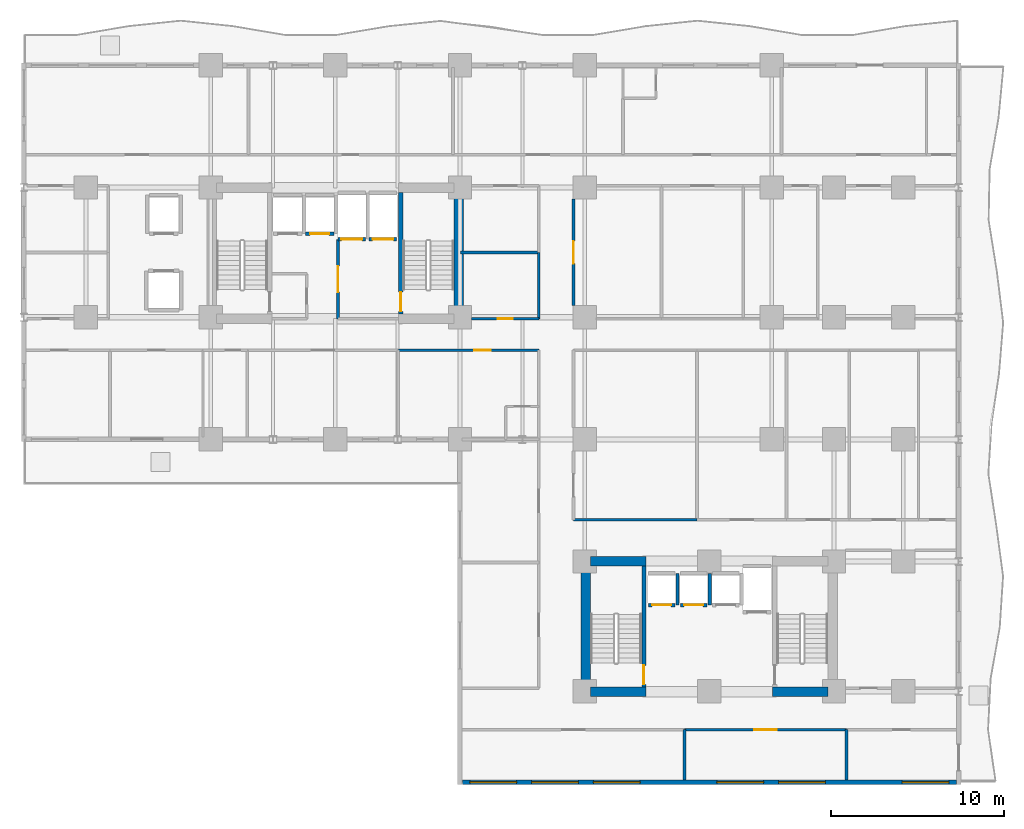
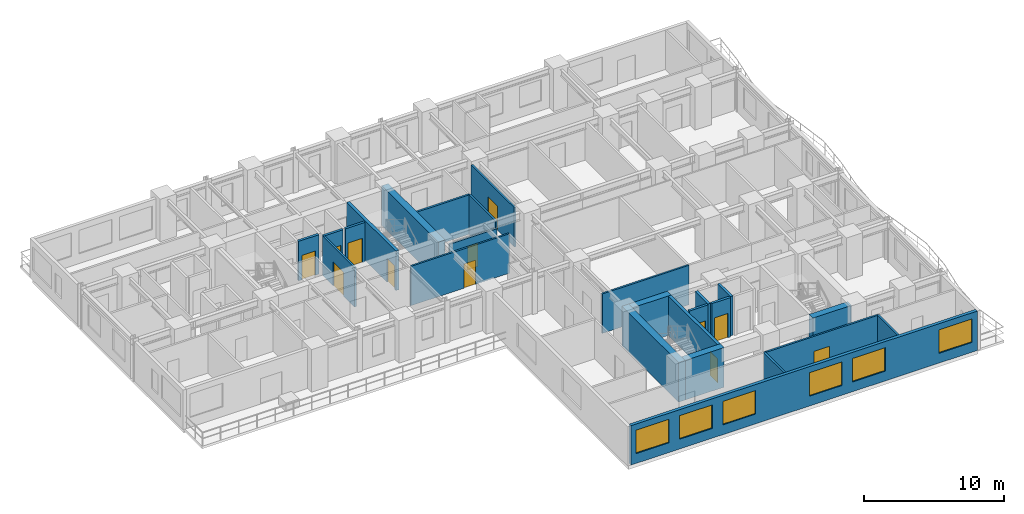
# One storey, part 4 of 11: 25 walls, 12 doors, 6 windows, 18 openings.
"""IFC4 building model written with IfcOpenShell, lengths in metres."""

from ifc_helpers import new_model, si_unit, direction, frame, frame_2d, origin, place, context, subcontext, project, spatial, rectangle, extrude, material, layer, layer_set, type_object, element, fill, save


model = new_model("IFC4")

# Units and contexts
model_context = context("Model", 3, precision=1e-05, world=origin(), true_north=direction((0.0, 1.0)))
body_context = subcontext(model_context, "Body", "Model", "MODEL_VIEW")
ifc_project = project(units=[si_unit("LENGTHUNIT", "METRE"), si_unit("AREAUNIT", "SQUARE_METRE"), si_unit("VOLUMEUNIT", "CUBIC_METRE"), si_unit("PLANEANGLEUNIT", "RADIAN"), si_unit("MASSUNIT", "GRAM", prefix="KILO")], contexts=[model_context])

# Site, building, storey
site_placement = place(None, origin())
site = spatial("IfcSite", under=ifc_project, at=site_placement, CompositionType="ELEMENT")
building_placement = place(site_placement, origin())
building = spatial("IfcBuilding", under=site, at=building_placement, Name="Kaliganga Portal Commons", CompositionType="ELEMENT")
storey_placement = place(building_placement, frame((0.0, 0.0, 25.300048828125)))
storey = spatial("IfcBuildingStorey", under=building, at=storey_placement, Name="L05", CompositionType="ELEMENT", Elevation=25.300048828125)

# Walls
ifc_material_1 = material(Name="Concrete C60/75", Category="concrete")
ifc_layer_1 = layer(ifc_material_1, 0.550048828125)
ifc_layer_set_1 = layer_set([ifc_layer_1], Name="Concrete C60/75")
wall_type_1 = type_object("IfcWallType", Name="WL-CORE-550", PredefinedType="SHEAR", material=ifc_layer_set_1)
wall_1_placement = place(storey_placement, frame((28.72509765625, 28.300048828125, 0.0), z_axis=(0.0, 0.0, 1.0), x_axis=(0.0, 1.0, 0.0)))
element("IfcWall", 1, at=wall_1_placement, inside=storey, type_object=wall_type_1, Name="Core A East Shear Wall L05", PredefinedType="SHEAR", context=body_context, shape_type="SweptSolid", body=[
    extrude(rectangle(XDim=8.099853515625, YDim=0.550048828125, at=frame_2d((4.0498046875, 0.0))), origin(), (0.0, 0.0, 1.0), 3.449951171875),
])
wall_2_placement = place(storey_placement, frame((36.074951171875, 6.75, 0.0), z_axis=(0.0, 0.0, 1.0), x_axis=(0.0, 1.0, 0.0)))
element("IfcWall", 2, at=wall_2_placement, inside=storey, type_object=wall_type_1, Name="Core B West Shear Wall L05", PredefinedType="SHEAR", context=body_context, shape_type="SweptSolid", body=[
    extrude(rectangle(XDim=8.10009765625, YDim=0.550048828125, at=frame_2d((4.050048828125, 0.0))), origin(), (0.0, 0.0, 1.0), 3.449951171875),
])
for number, where, z_axis, x_axis, name in (
    (3, (36.35009765625, 7.02490234375, 0.0), (0.0, 0.0, 1.0), (1.0, 0.0, 0.0), "Core B S-West Shear Wall L05"),
    (4, (46.85009765625, 7.02490234375, 0.0), (0.0, 0.0, 1.0), (1.0, 0.0, 0.0), "Core B S-East Shear Wall L05"),
    (5, (36.35009765625, 14.574951171875, 0.0), (0.0, 0.0, 1.0), (1.0, 0.0, 0.0), "Core B N-West Shear Wall L05"),
):
    element("IfcWall", number, at=place(storey_placement, frame(where, z_axis=z_axis, x_axis=x_axis)), inside=storey, type_object=wall_type_1, Name=name, PredefinedType="SHEAR", context=body_context, shape_type="SweptSolid", body=[
        extrude(rectangle(XDim=3.199951171875, YDim=0.550048828125, at=frame_2d((1.60009765625, 0.0))), origin(), (0.0, 0.0, 1.0), 3.449951171875),
    ])

# Wall, openings, windows
ifc_material_2 = material(Name="Insulated Aluminium-Clad Spandrel Assembly", Category="aluminium")
ifc_layer_2 = layer(ifc_material_2, 0.260009765625)
ifc_layer_set_2 = layer_set([ifc_layer_2], Name="Insulated Aluminium-Clad Spandrel Assembly")
wall_type_2 = type_object("IfcWallType", Name="WL-EXT-SPAND-260", PredefinedType="STANDARD", material=ifc_layer_set_2)
wall_3_placement = place(storey_placement, frame((57.465087890625, 1.800048828125, 0.0), z_axis=(0.0, 0.0, 1.0), x_axis=(-1.0, 0.0, 0.0)))
wall_3 = element("IfcWall", 6, at=wall_3_placement, inside=storey, type_object=wall_type_2, Name="Exterior Envelope Wall L05 P1-E00-S1", PredefinedType="STANDARD", context=body_context, shape_type="SweptSolid", body=[
    extrude(rectangle(XDim=28.530029296875, YDim=0.260009765625, at=frame_2d((14.26513671875, 0.0))), origin(), (0.0, 0.0, 1.0), 3.429931640625),
])
opening_1_placement = place(wall_3_placement, frame((0.43310546875, 0.0, 0.85009765625)))
opening_1 = element("IfcOpeningElement", 7, at=opening_1_placement, cuts=wall_3, Name="Opening W-07", PredefinedType="OPENING", context=body_context, shape_type="SweptSolid", body=[
    extrude(rectangle(XDim=2.699951171875, YDim=2.050048828125, at=frame_2d((1.35009765625, 1.02490234375))), frame((0.0, 0.14013671875, 0.0), z_axis=(0.0, -1.0, 0.0), x_axis=(1.0, 0.0, 0.0)), (0.0, 0.0, 1.0), 0.280029296875),
])
opening_2_placement = place(wall_3_placement, frame((7.565673828125, 0.0, 0.85009765625)))
opening_2 = element("IfcOpeningElement", 8, at=opening_2_placement, cuts=wall_3, Name="Opening W-07", PredefinedType="OPENING", context=body_context, shape_type="SweptSolid", body=[
    extrude(rectangle(XDim=2.699951171875, YDim=2.050048828125, at=frame_2d((1.35009765625, 1.02490234375))), frame((0.0, 0.14013671875, 0.0), z_axis=(0.0, -1.0, 0.0), x_axis=(1.0, 0.0, 0.0)), (0.0, 0.0, 1.0), 0.280029296875),
])
opening_3_placement = place(wall_3_placement, frame((11.1318359375, 0.0, 0.85009765625)))
opening_3 = element("IfcOpeningElement", 9, at=opening_3_placement, cuts=wall_3, Name="Opening W-07", PredefinedType="OPENING", context=body_context, shape_type="SweptSolid", body=[
    extrude(rectangle(XDim=2.699951171875, YDim=2.050048828125, at=frame_2d((1.35009765625, 1.02490234375))), frame((0.0, 0.14013671875, 0.0), z_axis=(0.0, -1.0, 0.0), x_axis=(1.0, 0.0, 0.0)), (0.0, 0.0, 1.0), 0.280029296875),
])
opening_4_placement = place(wall_3_placement, frame((18.264404296875, 0.0, 0.85009765625)))
opening_4 = element("IfcOpeningElement", 10, at=opening_4_placement, cuts=wall_3, Name="Opening W-07", PredefinedType="OPENING", context=body_context, shape_type="SweptSolid", body=[
    extrude(rectangle(XDim=2.699951171875, YDim=2.050048828125, at=frame_2d((1.35009765625, 1.02490234375))), frame((0.0, 0.14013671875, 0.0), z_axis=(0.0, -1.0, 0.0), x_axis=(1.0, 0.0, 0.0)), (0.0, 0.0, 1.0), 0.280029296875),
])
opening_5_placement = place(wall_3_placement, frame((21.83056640625, 0.0, 0.85009765625)))
opening_5 = element("IfcOpeningElement", 11, at=opening_5_placement, cuts=wall_3, Name="Opening W-07", PredefinedType="OPENING", context=body_context, shape_type="SweptSolid", body=[
    extrude(rectangle(XDim=2.699951171875, YDim=2.050048828125, at=frame_2d((1.35009765625, 1.02490234375))), frame((0.0, 0.14013671875, 0.0), z_axis=(0.0, -1.0, 0.0), x_axis=(1.0, 0.0, 0.0)), (0.0, 0.0, 1.0), 0.280029296875),
])
opening_6_placement = place(wall_3_placement, frame((25.39697265625, 0.0, 0.85009765625)))
opening_6 = element("IfcOpeningElement", 12, at=opening_6_placement, cuts=wall_3, Name="Opening W-07", PredefinedType="OPENING", context=body_context, shape_type="SweptSolid", body=[
    extrude(rectangle(XDim=2.699951171875, YDim=2.050048828125, at=frame_2d((1.35009765625, 1.02490234375))), frame((0.0, 0.14013671875, 0.0), z_axis=(0.0, -1.0, 0.0), x_axis=(1.0, 0.0, 0.0)), (0.0, 0.0, 1.0), 0.280029296875),
])
ifc_material_3 = material(Name="Thermally Broken Aluminium and Low-E Double Glazing", Category="aluminium")
window_type = type_object("IfcWindowType", Name="WIN-LOUNGE-2700", PartitioningType="TRIPLE_PANEL_VERTICAL", PredefinedType="WINDOW", material=ifc_material_3)
window_1_placement = place(opening_1_placement, origin())
window_1 = element("IfcWindow", 13, at=window_1_placement, inside=storey, type_object=window_type, Name="Facade Window L05-P1E00S1-00", OverallHeight=2.050048828125, OverallWidth=2.699951171875, PartitioningType="SINGLE_PANEL", PredefinedType="WINDOW", context=body_context, shape_type="SweptSolid", body=[
    extrude(rectangle(XDim=2.699951171875, YDim=2.050048828125, at=frame_2d((1.35009765625, 1.02490234375))), frame((0.0, 0.030029296875, 0.0), z_axis=(0.0, -1.0, 0.0), x_axis=(1.0, 0.0, 0.0)), (0.0, 0.0, 1.0), 0.06005859375),
])
fill(opening_1, window_1)
window_2_placement = place(opening_2_placement, origin())
window_2 = element("IfcWindow", 14, at=window_2_placement, inside=storey, type_object=window_type, Name="Facade Window L05-P1E00S1-02", OverallHeight=2.050048828125, OverallWidth=2.699951171875, PartitioningType="SINGLE_PANEL", PredefinedType="WINDOW", context=body_context, shape_type="SweptSolid", body=[
    extrude(rectangle(XDim=2.699951171875, YDim=2.050048828125, at=frame_2d((1.35009765625, 1.02490234375))), frame((0.0, 0.030029296875, 0.0), z_axis=(0.0, -1.0, 0.0), x_axis=(1.0, 0.0, 0.0)), (0.0, 0.0, 1.0), 0.06005859375),
])
fill(opening_2, window_2)
window_3_placement = place(opening_3_placement, origin())
window_3 = element("IfcWindow", 15, at=window_3_placement, inside=storey, type_object=window_type, Name="Facade Window L05-P1E00S1-03", OverallHeight=2.050048828125, OverallWidth=2.699951171875, PartitioningType="SINGLE_PANEL", PredefinedType="WINDOW", context=body_context, shape_type="SweptSolid", body=[
    extrude(rectangle(XDim=2.699951171875, YDim=2.050048828125, at=frame_2d((1.35009765625, 1.02490234375))), frame((0.0, 0.030029296875, 0.0), z_axis=(0.0, -1.0, 0.0), x_axis=(1.0, 0.0, 0.0)), (0.0, 0.0, 1.0), 0.06005859375),
])
fill(opening_3, window_3)
window_4_placement = place(opening_4_placement, origin())
window_4 = element("IfcWindow", 16, at=window_4_placement, inside=storey, type_object=window_type, Name="Facade Window L05-P1E00S1-05", OverallHeight=2.050048828125, OverallWidth=2.699951171875, PartitioningType="SINGLE_PANEL", PredefinedType="WINDOW", context=body_context, shape_type="SweptSolid", body=[
    extrude(rectangle(XDim=2.699951171875, YDim=2.050048828125, at=frame_2d((1.35009765625, 1.02490234375))), frame((0.0, 0.030029296875, 0.0), z_axis=(0.0, -1.0, 0.0), x_axis=(1.0, 0.0, 0.0)), (0.0, 0.0, 1.0), 0.06005859375),
])
fill(opening_4, window_4)
window_5_placement = place(opening_5_placement, origin())
window_5 = element("IfcWindow", 17, at=window_5_placement, inside=storey, type_object=window_type, Name="Facade Window L05-P1E00S1-06", OverallHeight=2.050048828125, OverallWidth=2.699951171875, PartitioningType="SINGLE_PANEL", PredefinedType="WINDOW", context=body_context, shape_type="SweptSolid", body=[
    extrude(rectangle(XDim=2.699951171875, YDim=2.050048828125, at=frame_2d((1.35009765625, 1.02490234375))), frame((0.0, 0.030029296875, 0.0), z_axis=(0.0, -1.0, 0.0), x_axis=(1.0, 0.0, 0.0)), (0.0, 0.0, 1.0), 0.06005859375),
])
fill(opening_5, window_5)
window_6_placement = place(opening_6_placement, origin())
window_6 = element("IfcWindow", 18, at=window_6_placement, inside=storey, type_object=window_type, Name="Facade Window L05-P1E00S1-07", OverallHeight=2.050048828125, OverallWidth=2.699951171875, PartitioningType="SINGLE_PANEL", PredefinedType="WINDOW", context=body_context, shape_type="SweptSolid", body=[
    extrude(rectangle(XDim=2.699951171875, YDim=2.050048828125, at=frame_2d((1.35009765625, 1.02490234375))), frame((0.0, 0.030029296875, 0.0), z_axis=(0.0, -1.0, 0.0), x_axis=(1.0, 0.0, 0.0)), (0.0, 0.0, 1.0), 0.06005859375),
])
fill(opening_6, window_6)

# Wall, opening, door
ifc_material_4 = material(Name="Fire-Rated Gypsum Board on Steel Stud", Category="steel")
ifc_layer_3 = layer(ifc_material_4, 0.14990234375)
ifc_layer_set_3 = layer_set([ifc_layer_3], Name="Fire-Rated Gypsum Board on Steel Stud")
wall_type_3 = type_object("IfcWallType", Name="WL-PART-CORR-150", PredefinedType="PARTITIONING", material=ifc_layer_set_3)
wall_4_placement = place(storey_placement, frame((41.760009765625, 4.840087890625, 0.0), z_axis=(0.0, 0.0, 1.0), x_axis=(1.0, 0.0, 0.0)))
wall_4 = element("IfcWall", 19, at=wall_4_placement, inside=storey, type_object=wall_type_3, Name="Interior Partition L05-014", PredefinedType="PARTITIONING", context=body_context, shape_type="SweptSolid", body=[
    extrude(rectangle(XDim=9.360107421875, YDim=0.14990234375, at=frame_2d((4.68017578125, 0.0))), origin(), (0.0, 0.0, 1.0), 3.429931640625),
])
opening_7_placement = place(wall_4_placement, frame((4.030029296875, 0.0, 0.0)))
opening_7 = element("IfcOpeningElement", 20, at=opening_7_placement, cuts=wall_4, Name="Opening RD-03", PredefinedType="OPENING", context=body_context, shape_type="SweptSolid", body=[
    extrude(rectangle(XDim=1.300048828125, YDim=2.1201171875, at=frame_2d((0.64990234375, 1.06005859375))), frame((0.0, 0.0849609375, 0.0), z_axis=(0.0, -1.0, 0.0), x_axis=(1.0, 0.0, 0.0)), (0.0, 0.0, 1.0), 0.169921875),
])
ifc_material_5 = material(Name="Glazed Timber Seminar Vision Door", Category="wood")
door_type_1 = type_object("IfcDoorType", Name="DR-STUDY-1300", OperationType="DOUBLE_DOOR_SINGLE_SWING", PredefinedType="DOOR", material=ifc_material_5)
door_1_placement = place(opening_7_placement, origin())
door_1 = element("IfcDoor", 21, at=door_1_placement, inside=storey, type_object=door_type_1, Name="Interior Door L05-BS02", OperationType="DOUBLE_DOOR_SINGLE_SWING", OverallHeight=2.1201171875, OverallWidth=1.300048828125, PredefinedType="DOOR", context=body_context, shape_type="SweptSolid", body=[
    extrude(rectangle(XDim=1.300048828125, YDim=2.1201171875, at=frame_2d((0.64990234375, 1.06005859375))), frame((0.0, 0.02490234375, 0.0), z_axis=(0.0, -1.0, 0.0), x_axis=(1.0, 0.0, 0.0)), (0.0, 0.0, 1.0), 0.050048828125),
])
fill(opening_7, door_1)

wall_5_placement = place(storey_placement, frame((25.239990234375, 26.760009765625, 0.0), z_axis=(0.0, 0.0, 1.0), x_axis=(1.0, 0.0, 0.0)))
wall_5 = element("IfcWall", 22, at=wall_5_placement, inside=storey, type_object=wall_type_3, Name="Interior Partition L05-020", PredefinedType="PARTITIONING", context=body_context, shape_type="SweptSolid", body=[
    extrude(rectangle(XDim=8.1201171875, YDim=0.14990234375, at=frame_2d((4.06005859375, 0.0))), origin(), (0.0, 0.0, 1.0), 3.429931640625),
])
opening_8_placement = place(wall_5_placement, frame((4.39697265625, 0.0, 0.0)))
opening_8 = element("IfcOpeningElement", 23, at=opening_8_placement, cuts=wall_5, Name="Opening UD-01", PredefinedType="OPENING", context=body_context, shape_type="SweptSolid", body=[
    extrude(rectangle(XDim=0.949951171875, YDim=2.10009765625, at=frame_2d((0.47509765625, 1.050048828125))), frame((0.0, 0.0849609375, 0.0), z_axis=(0.0, -1.0, 0.0), x_axis=(1.0, 0.0, 0.0)), (0.0, 0.0, 1.0), 0.169921875),
])
ifc_material_6 = material(Name="Solid-Core Timber Acoustic Fire Door", Category="wood")
door_type_2 = type_object("IfcDoorType", Name="DR-UNIT-950", OperationType="NOTDEFINED", PredefinedType="DOOR", material=ifc_material_6)
door_2_placement = place(opening_8_placement, origin())
door_2 = element("IfcDoor", 24, at=door_2_placement, inside=storey, type_object=door_type_2, Name="Interior Door L05-AS05", OperationType="SINGLE_SWING_LEFT", OverallHeight=2.10009765625, OverallWidth=0.949951171875, PredefinedType="DOOR", context=body_context, shape_type="SweptSolid", body=[
    extrude(rectangle(XDim=0.949951171875, YDim=2.10009765625, at=frame_2d((0.47509765625, 1.050048828125))), frame((0.0, 0.02490234375, 0.0), z_axis=(0.0, -1.0, 0.0), x_axis=(1.0, 0.0, 0.0)), (0.0, 0.0, 1.0), 0.050048828125),
])
fill(opening_8, door_2)

wall_6_placement = place(storey_placement, frame((35.360107421875, 29.324951171875, 0.0), z_axis=(0.0, 0.0, 1.0), x_axis=(0.0, 1.0, 0.0)))
wall_6 = element("IfcWall", 25, at=wall_6_placement, inside=storey, type_object=wall_type_3, Name="Interior Partition L05-021", PredefinedType="PARTITIONING", context=body_context, shape_type="SweptSolid", body=[
    extrude(rectangle(XDim=6.150146484375, YDim=0.14990234375, at=frame_2d((3.0751953125, 0.0))), origin(), (0.0, 0.0, 1.0), 3.429931640625),
])
opening_9_placement = place(wall_6_placement, frame((2.425048828125, 0.0, 0.0)))
opening_9 = element("IfcOpeningElement", 26, at=opening_9_placement, cuts=wall_6, Name="Opening RD-03", PredefinedType="OPENING", context=body_context, shape_type="SweptSolid", body=[
    extrude(rectangle(XDim=1.300048828125, YDim=2.1201171875, at=frame_2d((0.64990234375, 1.06005859375))), frame((0.0, 0.0849609375, 0.0), z_axis=(0.0, -1.0, 0.0), x_axis=(1.0, 0.0, 0.0)), (0.0, 0.0, 1.0), 0.169921875),
])
door_3_placement = place(opening_9_placement, origin())
door_3 = element("IfcDoor", 27, at=door_3_placement, inside=storey, type_object=door_type_1, Name="Interior Door L05-BK01", OperationType="DOUBLE_DOOR_SINGLE_SWING", OverallHeight=2.1201171875, OverallWidth=1.300048828125, PredefinedType="DOOR", context=body_context, shape_type="SweptSolid", body=[
    extrude(rectangle(XDim=1.300048828125, YDim=2.1201171875, at=frame_2d((0.64990234375, 1.06005859375))), frame((0.0, 0.02490234375, 0.0), z_axis=(0.0, -1.0, 0.0), x_axis=(1.0, 0.0, 0.0)), (0.0, 0.0, 1.0), 0.050048828125),
])
fill(opening_9, door_3)

# Wall
wall_7_placement = place(storey_placement, frame((35.360107421875, 16.9599609375, 0.0), z_axis=(0.0, 0.0, 1.0), x_axis=(1.0, 0.0, 0.0)))
element("IfcWall", 28, at=wall_7_placement, inside=storey, type_object=wall_type_3, Name="Interior Partition L05-023", PredefinedType="PARTITIONING", context=body_context, shape_type="SweptSolid", body=[
    extrude(rectangle(XDim=7.139892578125, YDim=0.14990234375, at=frame_2d((3.56982421875, 0.0))), origin(), (0.0, 0.0, 1.0), 3.429931640625),
])

# Wall, opening, door
wall_8_placement = place(storey_placement, frame((29.47509765625, 28.56005859375, 0.0), z_axis=(0.0, 0.0, 1.0), x_axis=(1.0, 0.0, 0.0)))
wall_8 = element("IfcWall", 29, at=wall_8_placement, inside=storey, type_object=wall_type_3, Name="Interior Partition L05-040", PredefinedType="PARTITIONING", context=body_context, shape_type="SweptSolid", body=[
    extrude(rectangle(XDim=3.885009765625, YDim=0.14990234375, at=frame_2d((1.9423828125, 0.0))), origin(), (0.0, 0.0, 1.0), 2.780029296875),
])
opening_10_placement = place(wall_8_placement, frame((1.512451171875, 0.0, 0.0)))
opening_10 = element("IfcOpeningElement", 30, at=opening_10_placement, cuts=wall_8, Name="Opening WD-02", PredefinedType="OPENING", context=body_context, shape_type="SweptSolid", body=[
    extrude(rectangle(XDim=0.860107421875, YDim=2.02001953125, at=frame_2d((0.43017578125, 1.010009765625))), frame((0.0, 0.0849609375, 0.0), z_axis=(0.0, -1.0, 0.0), x_axis=(1.0, 0.0, 0.0)), (0.0, 0.0, 1.0), 0.169921875),
])
ifc_material_7 = material(Name="Fire-Rated Utility Closet Door", Category="wood")
door_type_3 = type_object("IfcDoorType", Name="DR-STORE-800", OperationType="NOTDEFINED", PredefinedType="DOOR", material=ifc_material_7)
door_4_placement = place(opening_10_placement, origin())
door_4 = element("IfcDoor", 31, at=door_4_placement, inside=storey, type_object=door_type_3, Name="Interior Door L05-CSRV_A1", OperationType="SINGLE_SWING_LEFT", OverallHeight=2.02001953125, OverallWidth=0.860107421875, PredefinedType="DOOR", context=body_context, shape_type="SweptSolid", body=[
    extrude(rectangle(XDim=0.860107421875, YDim=2.02001953125, at=frame_2d((0.43017578125, 1.010009765625))), frame((0.0, 0.02490234375, 0.0), z_axis=(0.0, -1.0, 0.0), x_axis=(1.0, 0.0, 0.0)), (0.0, 0.0, 1.0), 0.050048828125),
])
fill(opening_10, door_4)

# Wall
wall_9_placement = place(storey_placement, frame((33.360107421875, 28.56005859375, 0.0), z_axis=(0.0, 0.0, 1.0), x_axis=(0.0, 1.0, 0.0)))
element("IfcWall", 32, at=wall_9_placement, inside=storey, type_object=wall_type_3, Name="Interior Partition L05-048", PredefinedType="PARTITIONING", context=body_context, shape_type="SweptSolid", body=[
    extrude(rectangle(XDim=3.83984375, YDim=0.14990234375, at=frame_2d((1.919921875, 0.0))), origin(), (0.0, 0.0, 1.0), 3.429931640625),
])

# Wall, opening, door
wall_10_placement = place(storey_placement, frame((21.760009765625, 28.56005859375, 0.0), z_axis=(0.0, 0.0, 1.0), x_axis=(0.0, 1.0, 0.0)))
wall_10 = element("IfcWall", 33, at=wall_10_placement, inside=storey, type_object=wall_type_3, Name="Interior Partition L05-079", PredefinedType="PARTITIONING", context=body_context, shape_type="SweptSolid", body=[
    extrude(rectangle(XDim=4.599853515625, YDim=0.14990234375, at=frame_2d((2.2998046875, 0.0))), origin(), (0.0, 0.0, 1.0), 3.429931640625),
])
opening_11_placement = place(wall_10_placement, frame((1.550048828125, 0.0, 0.0)))
opening_11 = element("IfcOpeningElement", 34, at=opening_11_placement, cuts=wall_10, Name="Opening FD-01", PredefinedType="OPENING", context=body_context, shape_type="SweptSolid", body=[
    extrude(rectangle(XDim=1.5, YDim=2.10009765625, at=frame_2d((0.75, 1.050048828125))), frame((0.0, 0.0849609375, 0.0), z_axis=(0.0, -1.0, 0.0), x_axis=(1.0, 0.0, 0.0)), (0.0, 0.0, 1.0), 0.169921875),
])
ifc_material_8 = material(Name="Fire-Rated Hardwood and Georgian-Wired Vision Panel", Category="wood")
door_type_4 = type_object("IfcDoorType", Name="DR-LOBBY-1500", OperationType="DOUBLE_DOOR_SINGLE_SWING", PredefinedType="DOOR", material=ifc_material_8)
door_5_placement = place(opening_11_placement, origin())
door_5 = element("IfcDoor", 35, at=door_5_placement, inside=storey, type_object=door_type_4, Name="Interior Door L05-FFLOB_A", OperationType="DOUBLE_DOOR_SINGLE_SWING", OverallHeight=2.10009765625, OverallWidth=1.5, PredefinedType="DOOR", context=body_context, shape_type="SweptSolid", body=[
    extrude(rectangle(XDim=1.5, YDim=2.10009765625, at=frame_2d((0.75, 1.050048828125))), frame((0.0, 0.02490234375, 0.0), z_axis=(0.0, -1.0, 0.0), x_axis=(1.0, 0.0, 0.0)), (0.0, 0.0, 1.0), 0.050048828125),
])
fill(opening_11, door_5)

# Walls
ifc_material_9 = material(Name="Twin-Stud Acoustic Gypsum Partition", Category="gypsum")
ifc_layer_4 = layer(ifc_material_9, 0.1650390625)
ifc_layer_set_4 = layer_set([ifc_layer_4], Name="Twin-Stud Acoustic Gypsum Partition")
wall_type_4 = type_object("IfcWallType", Name="WL-PART-UNIT-165", PredefinedType="PARTITIONING", material=ifc_layer_set_4)
wall_11_placement = place(storey_placement, frame((28.840087890625, 32.39990234375, 0.0), z_axis=(0.0, 0.0, 1.0), x_axis=(1.0, 0.0, 0.0)))
element("IfcWall", 36, at=wall_11_placement, inside=storey, type_object=wall_type_4, Name="Interior Partition L05-081", PredefinedType="PARTITIONING", context=body_context, shape_type="SweptSolid", body=[
    extrude(rectangle(XDim=4.52001953125, YDim=0.1650390625, at=frame_2d((2.260009765625, 0.0))), origin(), (0.0, 0.0, 1.0), 3.429931640625),
])
for number, where, z_axis, x_axis, name in (
    (37, (41.760009765625, 1.931884765625, 0.0), (0.0, 0.0, 1.0), (0.0, 1.0, 0.0), "Interior Partition L05-088"),
    (38, (51.1201171875, 1.931884765625, 0.0), (0.0, 0.0, 1.0), (0.0, 1.0, 0.0), "Interior Partition L05-089"),
):
    element("IfcWall", number, at=place(storey_placement, frame(where, z_axis=z_axis, x_axis=x_axis)), inside=storey, type_object=wall_type_4, Name=name, PredefinedType="PARTITIONING", context=body_context, shape_type="SweptSolid", body=[
        extrude(rectangle(XDim=2.908203125, YDim=0.1650390625, at=frame_2d((1.4541015625, 0.0))), origin(), (0.0, 0.0, 1.0), 3.429931640625),
    ])

# Wall, opening, door
ifc_material_10 = material(Name="Fire-Rated Shaftwall Masonry Assembly", Category="masonry")
ifc_layer_5 = layer(ifc_material_10, 0.199951171875)
ifc_layer_set_5 = layer_set([ifc_layer_5], Name="Fire-Rated Shaftwall Masonry Assembly")
wall_type_5 = type_object("IfcWallType", Name="WL-SHAFT-200", PredefinedType="PARTITIONING", material=ifc_layer_set_5)
wall_12_placement = place(storey_placement, frame((19.875, 33.485107421875, 0.0), z_axis=(0.0, 0.0, 1.0), x_axis=(1.0, 0.0, 0.0)))
wall_12 = element("IfcWall", 39, at=wall_12_placement, inside=storey, type_object=wall_type_5, Name="Lift PL-A2 Hoistway Shaft Wall L05-S", PredefinedType="PARTITIONING", context=body_context, shape_type="SweptSolid", body=[
    extrude(rectangle(XDim=1.64990234375, YDim=0.199951171875, at=frame_2d((0.824951171875, 0.0))), origin(), (0.0, 0.0, 1.0), 3.429931640625),
])
opening_12_placement = place(wall_12_placement, frame((0.27490234375, 0.0, 0.0)))
opening_12 = element("IfcOpeningElement", 40, at=opening_12_placement, cuts=wall_12, Name="Opening LD-01", PredefinedType="OPENING", context=body_context, shape_type="SweptSolid", body=[
    extrude(rectangle(XDim=1.10009765625, YDim=2.1201171875, at=frame_2d((0.550048828125, 1.06005859375))), frame((0.0, 0.10986328125, 0.0), z_axis=(0.0, -1.0, 0.0), x_axis=(1.0, 0.0, 0.0)), (0.0, 0.0, 1.0), 0.219970703125),
])
ifc_material_11 = material(Name="Brushed Stainless Steel 316 Lift Landing Door", Category="steel")
door_type_5 = type_object("IfcDoorType", Name="DR-LIFT-1100", OperationType="SLIDING_TO_LEFT", PredefinedType="DOOR", material=ifc_material_11)
door_6_placement = place(opening_12_placement, origin())
door_6 = element("IfcDoor", 41, at=door_6_placement, inside=storey, type_object=door_type_5, Name="Lift PL-A2 Sliding Landing Door L05", OperationType="SLIDING_TO_LEFT", OverallHeight=2.1201171875, OverallWidth=1.10009765625, PredefinedType="DOOR", context=body_context, shape_type="SweptSolid", body=[
    extrude(rectangle(XDim=1.10009765625, YDim=2.1201171875, at=frame_2d((0.550048828125, 1.06005859375))), frame((0.0, 0.02490234375, 0.0), z_axis=(0.0, -1.0, 0.0), x_axis=(1.0, 0.0, 0.0)), (0.0, 0.0, 1.0), 0.050048828125),
])
fill(opening_12, door_6)

wall_13_placement = place(storey_placement, frame((21.75, 33.159912109375, 0.0), z_axis=(0.0, 0.0, 1.0), x_axis=(1.0, 0.0, 0.0)))
wall_13 = element("IfcWall", 42, at=wall_13_placement, inside=storey, type_object=wall_type_5, Name="Lift FFL-1 Hoistway Shaft Wall L05-S", PredefinedType="PARTITIONING", context=body_context, shape_type="SweptSolid", body=[
    extrude(rectangle(XDim=1.60009765625, YDim=0.199951171875, at=frame_2d((0.800048828125, 0.0))), origin(), (0.0, 0.0, 1.0), 3.429931640625),
])
opening_13_placement = place(wall_13_placement, frame((0.199951171875, 0.0, 0.0)))
opening_13 = element("IfcOpeningElement", 43, at=opening_13_placement, cuts=wall_13, Name="Opening LD-02", PredefinedType="OPENING", context=body_context, shape_type="SweptSolid", body=[
    extrude(rectangle(XDim=1.199951171875, YDim=2.1201171875, at=frame_2d((0.60009765625, 1.06005859375))), frame((0.0, 0.10986328125, 0.0), z_axis=(0.0, -1.0, 0.0), x_axis=(1.0, 0.0, 0.0)), (0.0, 0.0, 1.0), 0.219970703125),
])
ifc_material_12 = material(Name="Brushed Stainless Steel 316 Stretcher Lift Landing Door", Category="steel")
door_type_6 = type_object("IfcDoorType", Name="DR-LIFT-1200", OperationType="SLIDING_TO_RIGHT", PredefinedType="DOOR", material=ifc_material_12)
door_7_placement = place(opening_13_placement, origin())
door_7 = element("IfcDoor", 44, at=door_7_placement, inside=storey, type_object=door_type_6, Name="Lift FFL-1 Sliding Landing Door L05", OperationType="SLIDING_TO_RIGHT", OverallHeight=2.1201171875, OverallWidth=1.199951171875, PredefinedType="DOOR", context=body_context, shape_type="SweptSolid", body=[
    extrude(rectangle(XDim=1.199951171875, YDim=2.1201171875, at=frame_2d((0.60009765625, 1.06005859375))), frame((0.0, 0.02490234375, 0.0), z_axis=(0.0, -1.0, 0.0), x_axis=(1.0, 0.0, 0.0)), (0.0, 0.0, 1.0), 0.050048828125),
])
fill(opening_13, door_7)

wall_14_placement = place(storey_placement, frame((23.550048828125, 33.159912109375, 0.0), z_axis=(0.0, 0.0, 1.0), x_axis=(1.0, 0.0, 0.0)))
wall_14 = element("IfcWall", 45, at=wall_14_placement, inside=storey, type_object=wall_type_5, Name="Lift FFL-2 Hoistway Shaft Wall L05-S", PredefinedType="PARTITIONING", context=body_context, shape_type="SweptSolid", body=[
    extrude(rectangle(XDim=1.599853515625, YDim=0.199951171875, at=frame_2d((0.7998046875, 0.0))), origin(), (0.0, 0.0, 1.0), 3.429931640625),
])
opening_14_placement = place(wall_14_placement, frame((0.199951171875, 0.0, 0.0)))
opening_14 = element("IfcOpeningElement", 46, at=opening_14_placement, cuts=wall_14, Name="Opening LD-02", PredefinedType="OPENING", context=body_context, shape_type="SweptSolid", body=[
    extrude(rectangle(XDim=1.199951171875, YDim=2.1201171875, at=frame_2d((0.60009765625, 1.06005859375))), frame((0.0, 0.10986328125, 0.0), z_axis=(0.0, -1.0, 0.0), x_axis=(1.0, 0.0, 0.0)), (0.0, 0.0, 1.0), 0.219970703125),
])
door_8_placement = place(opening_14_placement, origin())
door_8 = element("IfcDoor", 47, at=door_8_placement, inside=storey, type_object=door_type_6, Name="Lift FFL-2 Sliding Landing Door L05", OperationType="SLIDING_TO_RIGHT", OverallHeight=2.1201171875, OverallWidth=1.199951171875, PredefinedType="DOOR", context=body_context, shape_type="SweptSolid", body=[
    extrude(rectangle(XDim=1.199951171875, YDim=2.1201171875, at=frame_2d((0.60009765625, 1.06005859375))), frame((0.0, 0.02490234375, 0.0), z_axis=(0.0, -1.0, 0.0), x_axis=(1.0, 0.0, 0.0)), (0.0, 0.0, 1.0), 0.050048828125),
])
fill(opening_14, door_8)

wall_15_placement = place(storey_placement, frame((39.675048828125, 12.034912109375, 0.0), z_axis=(0.0, 0.0, 1.0), x_axis=(1.0, 0.0, 0.0)))
wall_15 = element("IfcWall", 48, at=wall_15_placement, inside=storey, type_object=wall_type_5, Name="Lift PL-B1 Hoistway Shaft Wall L05-S", PredefinedType="PARTITIONING", context=body_context, shape_type="SweptSolid", body=[
    extrude(rectangle(XDim=1.550048828125, YDim=0.199951171875, at=frame_2d((0.77490234375, 0.0))), origin(), (0.0, 0.0, 1.0), 3.429931640625),
])
opening_15_placement = place(wall_15_placement, frame((0.22509765625, 0.0, 0.0)))
opening_15 = element("IfcOpeningElement", 49, at=opening_15_placement, cuts=wall_15, Name="Opening LD-01", PredefinedType="OPENING", context=body_context, shape_type="SweptSolid", body=[
    extrude(rectangle(XDim=1.10009765625, YDim=2.1201171875, at=frame_2d((0.550048828125, 1.06005859375))), frame((0.0, 0.10986328125, 0.0), z_axis=(0.0, -1.0, 0.0), x_axis=(1.0, 0.0, 0.0)), (0.0, 0.0, 1.0), 0.219970703125),
])
door_9_placement = place(opening_15_placement, origin())
door_9 = element("IfcDoor", 50, at=door_9_placement, inside=storey, type_object=door_type_5, Name="Lift PL-B1 Sliding Landing Door L05", OperationType="SLIDING_TO_LEFT", OverallHeight=2.1201171875, OverallWidth=1.10009765625, PredefinedType="DOOR", context=body_context, shape_type="SweptSolid", body=[
    extrude(rectangle(XDim=1.10009765625, YDim=2.1201171875, at=frame_2d((0.550048828125, 1.06005859375))), frame((0.0, 0.02490234375, 0.0), z_axis=(0.0, -1.0, 0.0), x_axis=(1.0, 0.0, 0.0)), (0.0, 0.0, 1.0), 0.050048828125),
])
fill(opening_15, door_9)

# Wall
wall_16_placement = place(storey_placement, frame((41.364990234375, 12.034912109375, 0.0), z_axis=(0.0, 0.0, 1.0), x_axis=(0.0, 1.0, 0.0)))
element("IfcWall", 51, at=wall_16_placement, inside=storey, type_object=wall_type_5, Name="Lift PL-B1 Hoistway Shaft Wall L05-E", PredefinedType="PARTITIONING", context=body_context, shape_type="SweptSolid", body=[
    extrude(rectangle(XDim=1.830078125, YDim=0.199951171875, at=frame_2d((0.9150390625, 0.0))), origin(), (0.0, 0.0, 1.0), 3.429931640625),
])

# Wall, opening, door
wall_17_placement = place(storey_placement, frame((41.52490234375, 12.034912109375, 0.0), z_axis=(0.0, 0.0, 1.0), x_axis=(1.0, 0.0, 0.0)))
wall_17 = element("IfcWall", 52, at=wall_17_placement, inside=storey, type_object=wall_type_5, Name="Lift PL-B2 Hoistway Shaft Wall L05-S", PredefinedType="PARTITIONING", context=body_context, shape_type="SweptSolid", body=[
    extrude(rectangle(XDim=1.550048828125, YDim=0.199951171875, at=frame_2d((0.77490234375, 0.0))), origin(), (0.0, 0.0, 1.0), 3.429931640625),
])
opening_16_placement = place(wall_17_placement, frame((0.22509765625, 0.0, 0.0)))
opening_16 = element("IfcOpeningElement", 53, at=opening_16_placement, cuts=wall_17, Name="Opening LD-01", PredefinedType="OPENING", context=body_context, shape_type="SweptSolid", body=[
    extrude(rectangle(XDim=1.10009765625, YDim=2.1201171875, at=frame_2d((0.550048828125, 1.06005859375))), frame((0.0, 0.10986328125, 0.0), z_axis=(0.0, -1.0, 0.0), x_axis=(1.0, 0.0, 0.0)), (0.0, 0.0, 1.0), 0.219970703125),
])
door_10_placement = place(opening_16_placement, origin())
door_10 = element("IfcDoor", 54, at=door_10_placement, inside=storey, type_object=door_type_5, Name="Lift PL-B2 Sliding Landing Door L05", OperationType="SLIDING_TO_LEFT", OverallHeight=2.1201171875, OverallWidth=1.10009765625, PredefinedType="DOOR", context=body_context, shape_type="SweptSolid", body=[
    extrude(rectangle(XDim=1.10009765625, YDim=2.1201171875, at=frame_2d((0.550048828125, 1.06005859375))), frame((0.0, 0.02490234375, 0.0), z_axis=(0.0, -1.0, 0.0), x_axis=(1.0, 0.0, 0.0)), (0.0, 0.0, 1.0), 0.050048828125),
])
fill(opening_16, door_10)

# Wall
wall_18_placement = place(storey_placement, frame((43.215087890625, 12.034912109375, 0.0), z_axis=(0.0, 0.0, 1.0), x_axis=(0.0, 1.0, 0.0)))
element("IfcWall", 55, at=wall_18_placement, inside=storey, type_object=wall_type_5, Name="Lift PL-B2 Hoistway Shaft Wall L05-E", PredefinedType="PARTITIONING", context=body_context, shape_type="SweptSolid", body=[
    extrude(rectangle(XDim=1.830078125, YDim=0.199951171875, at=frame_2d((0.9150390625, 0.0))), origin(), (0.0, 0.0, 1.0), 3.429931640625),
])

# Wall, opening, door
ifc_material_13 = material(Name="Concrete C50/60", Category="concrete")
ifc_layer_6 = layer(ifc_material_13, 0.25)
ifc_layer_set_6 = layer_set([ifc_layer_6], Name="Concrete C50/60")
wall_type_6 = type_object("IfcWallType", Name="WL-STAIR-250", PredefinedType="SHEAR", material=ifc_layer_set_6)
wall_19_placement = place(storey_placement, frame((25.375, 28.85009765625, 0.0), z_axis=(0.0, 0.0, 1.0), x_axis=(0.0, 1.0, 0.0)))
wall_19 = element("IfcWall", 56, at=wall_19_placement, inside=storey, type_object=wall_type_6, Name="Stair A2 Enclosure Shear Wall L05", PredefinedType="SHEAR", context=body_context, shape_type="SweptSolid", body=[
    extrude(rectangle(XDim=7.0, YDim=0.25, at=frame_2d((3.5, 0.0))), origin(), (0.0, 0.0, 1.0), 3.449951171875),
])
opening_17_placement = place(wall_19_placement, frame((0.14990234375, 0.0, 0.0)))
opening_17 = element("IfcOpeningElement", 57, at=opening_17_placement, cuts=wall_19, Name="Opening SD-01", PredefinedType="OPENING", context=body_context, shape_type="SweptSolid", body=[
    extrude(rectangle(XDim=1.10009765625, YDim=2.080078125, at=frame_2d((0.550048828125, 1.0400390625))), frame((0.0, 0.135009765625, 0.0), z_axis=(0.0, -1.0, 0.0), x_axis=(1.0, 0.0, 0.0)), (0.0, 0.0, 1.0), 0.27001953125),
])
ifc_material_14 = material(Name="Galvanized Steel Fire Door Leaf and Frame", Category="steel")
door_type_7 = type_object("IfcDoorType", Name="DR-STAIR-1100", OperationType="NOTDEFINED", PredefinedType="DOOR", material=ifc_material_14)
door_11_placement = place(opening_17_placement, origin())
door_11 = element("IfcDoor", 58, at=door_11_placement, inside=storey, type_object=door_type_7, Name="Protected Stair ST-A2 Fire Door L05", OperationType="SINGLE_SWING_RIGHT", OverallHeight=2.080078125, OverallWidth=1.10009765625, PredefinedType="DOOR", context=body_context, shape_type="SweptSolid", body=[
    extrude(rectangle(XDim=1.10009765625, YDim=2.080078125, at=frame_2d((0.550048828125, 1.0400390625))), frame((0.0, 0.02490234375, 0.0), z_axis=(0.0, -1.0, 0.0), x_axis=(1.0, 0.0, 0.0)), (0.0, 0.0, 1.0), 0.050048828125),
])
fill(opening_17, door_11)

wall_20_placement = place(storey_placement, frame((39.425048828125, 7.300048828125, 0.0), z_axis=(0.0, 0.0, 1.0), x_axis=(0.0, 1.0, 0.0)))
wall_20 = element("IfcWall", 59, at=wall_20_placement, inside=storey, type_object=wall_type_6, Name="Stair B1 Enclosure Shear Wall L05", PredefinedType="SHEAR", context=body_context, shape_type="SweptSolid", body=[
    extrude(rectangle(XDim=7.0, YDim=0.25, at=frame_2d((3.5, 0.0))), origin(), (0.0, 0.0, 1.0), 3.449951171875),
])
opening_18_placement = place(wall_20_placement, frame((0.14990234375, 0.0, 0.0)))
opening_18 = element("IfcOpeningElement", 60, at=opening_18_placement, cuts=wall_20, Name="Opening SD-01", PredefinedType="OPENING", context=body_context, shape_type="SweptSolid", body=[
    extrude(rectangle(XDim=1.10009765625, YDim=2.080078125, at=frame_2d((0.550048828125, 1.0400390625))), frame((0.0, 0.135009765625, 0.0), z_axis=(0.0, -1.0, 0.0), x_axis=(1.0, 0.0, 0.0)), (0.0, 0.0, 1.0), 0.27001953125),
])
door_12_placement = place(opening_18_placement, origin())
door_12 = element("IfcDoor", 61, at=door_12_placement, inside=storey, type_object=door_type_7, Name="Protected Stair ST-B1 Fire Door L05", OperationType="SINGLE_SWING_LEFT", OverallHeight=2.080078125, OverallWidth=1.10009765625, PredefinedType="DOOR", context=body_context, shape_type="SweptSolid", body=[
    extrude(rectangle(XDim=1.10009765625, YDim=2.080078125, at=frame_2d((0.550048828125, 1.0400390625))), frame((0.0, 0.02490234375, 0.0), z_axis=(0.0, -1.0, 0.0), x_axis=(1.0, 0.0, 0.0)), (0.0, 0.0, 1.0), 0.050048828125),
])
fill(opening_18, door_12)

save(model, "model.ifc")
